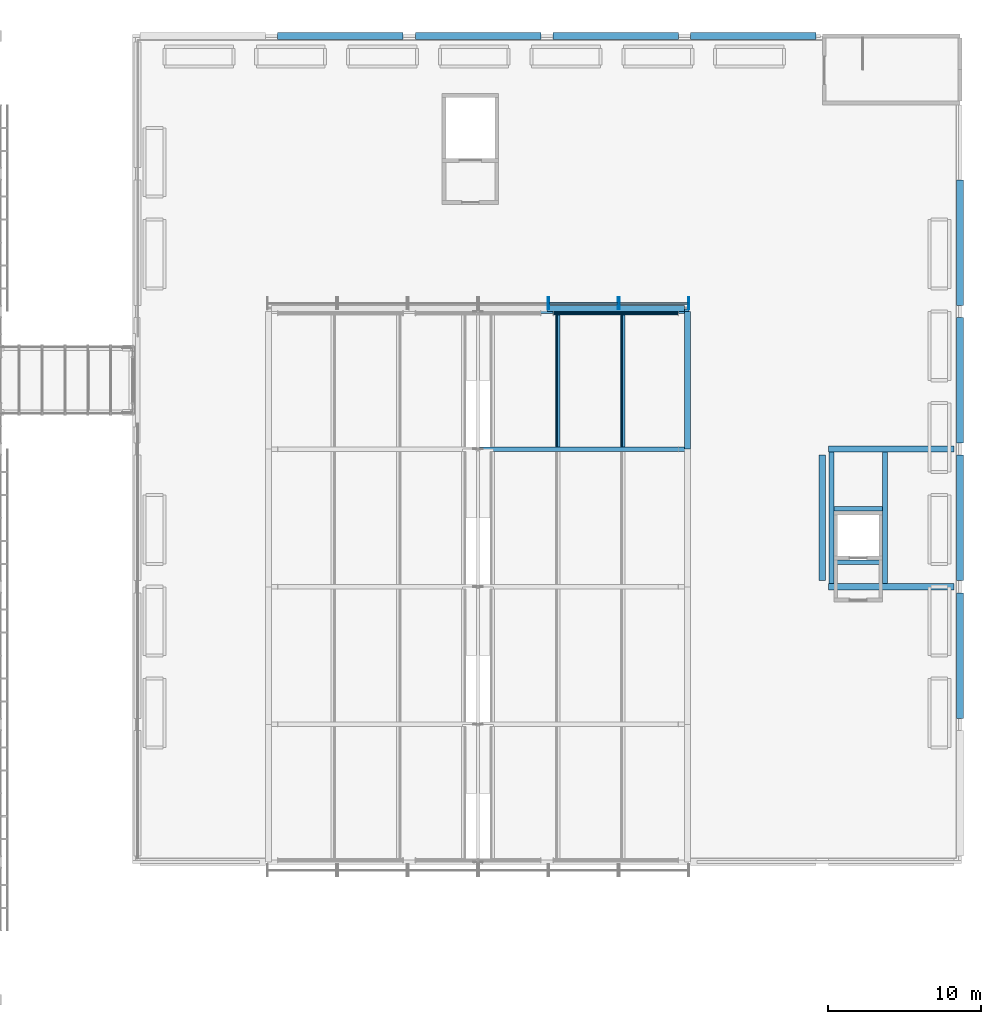
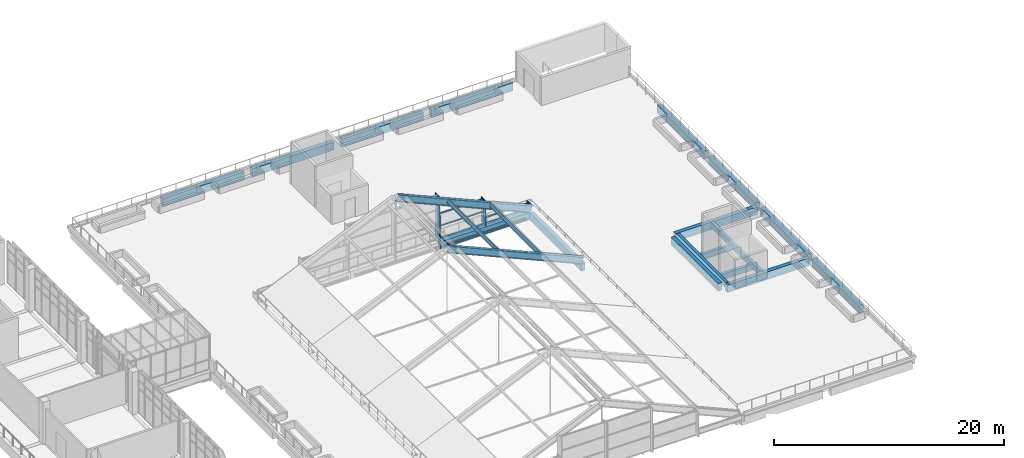
# One storey, part 46 of 106: 19 beams, 13 members, 3 elements without a shape of their own.
"""IFC4 building model written with IfcOpenShell, lengths in metres."""

from ifc_helpers import new_model, si_unit, direction, frame, origin, origin_2d, place, context, subcontext, project, spatial, rectangle, hollow_circle, i_section, extrude, material, layer, layer_set, material_profile, profile_set, type_object, element, aggregate, save


model = new_model("IFC4")

# Units and contexts
model_context = context("Model", 3, precision=1e-05, world=origin(), true_north=direction((0.0, 1.0)))
body_context = subcontext(model_context, "Body", "Model", "MODEL_VIEW")
ifc_project = project(units=[si_unit("LENGTHUNIT", "METRE"), si_unit("AREAUNIT", "SQUARE_METRE"), si_unit("VOLUMEUNIT", "CUBIC_METRE"), si_unit("PLANEANGLEUNIT", "RADIAN"), si_unit("MASSUNIT", "GRAM", prefix="KILO")], contexts=[model_context])

# Site, building, storey
site_placement = place(None, origin())
site = spatial("IfcSite", under=ifc_project, at=site_placement, CompositionType="ELEMENT")
building_placement = place(site_placement, origin())
building = spatial("IfcBuilding", under=site, at=building_placement, Name="Guidao Yard Department Store", CompositionType="ELEMENT")
storey_placement = place(building_placement, frame((0.0, 0.0, 10.5)))
storey = spatial("IfcBuildingStorey", under=building, at=storey_placement, Name="L02", CompositionType="ELEMENT", Elevation=10.5)

# Member
ifc_material_1 = material(Name="Steel Q355B", Category="steel")
ifc_material_profile_1 = material_profile(ifc_material_1, hollow_circle(Radius=0.109619140625, WallThickness=0.010009765625, at=origin_2d()), Name="CHS 219x10")
ifc_profile_set_1 = profile_set([ifc_material_profile_1], Name="Steel Q355B")
member_type_1 = type_object("IfcMemberType", Name="CHS 219x10", PredefinedType="BRACE", material=ifc_profile_set_1)
member_1_placement = place(storey_placement, frame((144.39990234375, 89.8798828125, -0.449951171875), z_axis=(1.0, 0.0, 0.0), x_axis=(0.0, 1.0, 0.0)))
element("IfcMember", 1, at=member_1_placement, inside=storey, type_object=member_type_1, Name="Roof tie rod F05-3", PredefinedType="BRACE", context=body_context, shape_type="SweptSolid", body=[
    extrude(hollow_circle(Radius=0.109619140625, WallThickness=0.010009765625, at=origin_2d()), origin(), (0.0, 0.0, 1.0), 8.2001953125),
])

# Beams
ifc_material_2 = material(Name="Concrete C40", Category="concrete")
ifc_material_profile_2 = material_profile(ifc_material_2, rectangle(XDim=0.39990234375, YDim=0.800048828125, at=origin_2d()), Name="Edge beam 400 x 800 C40")
ifc_profile_set_2 = profile_set([ifc_material_profile_2], Name="Concrete C40")
beam_type_1 = type_object("IfcBeamType", Name="Edge beam 400 x 800 C40", PredefinedType="BEAM", material=ifc_profile_set_2)
for number, where, z_axis, x_axis, name in (
    (2, (162.39990234375, 72.0, -0.39990234375), (1.0, 0.0, 0.0), (0.0, 1.0, 0.0), "Beam EB103"),
    (3, (162.39990234375, 81.0, -0.39990234375), (1.0, 0.0, 0.0), (0.0, 1.0, 0.0), "Beam EB104"),
    (4, (162.0, 72.39990234375, -0.39990234375), (0.0, 1.0, 0.0), (-1.0, 0.0, 0.0), "Beam EB105"),
):
    element("IfcBeam", number, at=place(storey_placement, frame(where, z_axis=z_axis, x_axis=x_axis)), inside=storey, type_object=beam_type_1, Name=name, PredefinedType="BEAM", context=body_context, shape_type="SweptSolid", body=[
        extrude(rectangle(XDim=0.39990234375, YDim=0.800048828125, at=origin_2d()), origin(), (0.0, 0.0, 1.0), 8.2001953125),
    ])
ifc_material_3 = material(Name="Concrete C40", Category="concrete")
ifc_material_profile_3 = material_profile(ifc_material_3, rectangle(XDim=0.449951171875, YDim=0.85009765625, at=origin_2d()), Name="Garden roof spandrel beam 450 x 850 C40")
ifc_profile_set_3 = profile_set([ifc_material_profile_3], Name="Concrete C40")
beam_type_2 = type_object("IfcBeamType", Name="Garden roof spandrel beam 450 x 850 C40", PredefinedType="SPANDREL", material=ifc_profile_set_3)
for number, where, z_axis, x_axis, name in (
    (5, (126.39990234375, 108.0, -0.425048828125), (1.0, 0.0, 0.0), (0.0, 1.0, 0.0), "Beam EB92"),
    (6, (135.39990234375, 108.0, -0.425048828125), (1.0, 0.0, 0.0), (0.0, 1.0, 0.0), "Beam EB93"),
    (7, (144.39990234375, 108.0, -0.425048828125), (1.0, 0.0, 0.0), (0.0, 1.0, 0.0), "Beam EB94"),
    (8, (153.39990234375, 108.0, -0.425048828125), (1.0, 0.0, 0.0), (0.0, 1.0, 0.0), "Beam EB95"),
    (9, (171.0, 63.39990234375, -0.425048828125), (0.0, 1.0, 0.0), (-1.0, 0.0, 0.0), "Beam EB97"),
    (10, (171.0, 72.39990234375, -0.425048828125), (0.0, 1.0, 0.0), (-1.0, 0.0, 0.0), "Beam EB98"),
    (11, (171.0, 81.39990234375, -0.425048828125), (0.0, 1.0, 0.0), (-1.0, 0.0, 0.0), "Beam EB99"),
    (12, (171.0, 90.39990234375, -0.425048828125), (0.0, 1.0, 0.0), (-1.0, 0.0, 0.0), "Beam EB100"),
):
    element("IfcBeam", number, at=place(storey_placement, frame(where, z_axis=z_axis, x_axis=x_axis)), inside=storey, type_object=beam_type_2, Name=name, PredefinedType="SPANDREL", context=body_context, shape_type="SweptSolid", body=[
        extrude(rectangle(XDim=0.449951171875, YDim=0.85009765625, at=origin_2d()), origin(), (0.0, 0.0, 1.0), 8.2001953125),
    ])

# Members
ifc_material_4 = material(Name="Steel Q355B", Category="steel")
ifc_material_profile_4 = material_profile(ifc_material_4, i_section(OverallWidth=0.175048828125, OverallDepth=0.35009765625, WebThickness=0.007080078125, FlangeThickness=0.010986328125, FilletRadius=0.012939453125, at=origin_2d()), Name="HN 350x175x7x11")
ifc_profile_set_4 = profile_set([ifc_material_profile_4], Name="Steel Q355B")
member_type_2 = type_object("IfcMemberType", Name="HN 350x175x7x11", PredefinedType="PURLIN", material=ifc_profile_set_4)
for number, where, z_axis, x_axis, name in (
    (13, (144.695068359375, 81.14990234375, 4.22900390625), (0.0, 1.0, 0.0), (-0.915526159115, 0.0, 0.402258439285), "Roof purlin F04-06"),
    (14, (148.960693359375, 81.14990234375, 2.354736328125), (0.0, 1.0, 0.0), (-0.915526159115, 0.0, 0.402258439285), "Roof purlin F04-07"),
):
    element("IfcMember", number, at=place(storey_placement, frame(where, z_axis=z_axis, x_axis=x_axis)), inside=storey, type_object=member_type_2, Name=name, PredefinedType="PURLIN", context=body_context, shape_type="SweptSolid", body=[
        extrude(i_section(OverallWidth=0.175048828125, OverallDepth=0.35009765625, WebThickness=0.007080078125, FlangeThickness=0.010986328125, FilletRadius=0.012939453125, at=origin_2d()), origin(), (0.0, 0.0, 1.0), 8.7001953125),
    ])

# Beams
ifc_material_5 = material(Name="Steel Q355B", Category="steel")
ifc_material_profile_5 = material_profile(ifc_material_5, i_section(OverallWidth=0.300048828125, OverallDepth=0.699951171875, WebThickness=0.012939453125, FlangeThickness=0.02392578125, FilletRadius=0.01806640625, at=origin_2d()), Name="HN 700x300x13x24")
ifc_profile_set_5 = profile_set([ifc_material_profile_5], Name="Steel Q355B")
beam_type_3 = type_object("IfcBeamType", Name="HN 700x300x13x24", PredefinedType="BEAM", material=ifc_profile_set_5)
for number, where, z_axis, x_axis, name in (
    (15, (139.640869140625, 81.0, 6.258544921875), (0.915522684048, 0.0, -0.402266348323), (0.0, 1.0, 0.0), "Roof rib F04-02"),
    (16, (139.640869140625, 90.0, 6.258544921875), (0.915522684048, 0.0, -0.402266348323), (0.0, 1.0, 0.0), "Roof rib F05-02"),
):
    element("IfcBeam", number, at=place(storey_placement, frame(where, z_axis=z_axis, x_axis=x_axis)), inside=storey, type_object=beam_type_3, Name=name, PredefinedType="BEAM", context=body_context, shape_type="SweptSolid", body=[
        extrude(i_section(OverallWidth=0.300048828125, OverallDepth=0.699951171875, WebThickness=0.012939453125, FlangeThickness=0.02392578125, FilletRadius=0.01806640625, at=origin_2d()), origin(), (0.0, 0.0, 1.0), 14.761962890625),
    ])

# Curtain wall, member
ifc_material_6 = material(Name="Aluminium and glass", Category="aluminium")
ifc_layer = layer(ifc_material_6, 0.159912109375)
ifc_layer_set = layer_set([ifc_layer], Name="Gable glazing CW7 1500 module")
curtain_wall_type = type_object("IfcCurtainWallType", Name="Gable glazing CW7 1500 module", PredefinedType="NOTDEFINED", material=ifc_layer_set)
curtain_wall_1_placement = place(storey_placement, origin())
curtain_wall_1 = element("IfcCurtainWall", 17, at=curtain_wall_1_placement, inside=storey, type_object=curtain_wall_type, Name="Gable glazing FN4", PredefinedType="NOTDEFINED")
ifc_material_7 = material(Name="Aluminium 6063-T5", Category="aluminium")
ifc_material_profile_6 = material_profile(ifc_material_7, rectangle(XDim=0.06005859375, YDim=0.780029296875, at=origin_2d()), Name="Mullion M3 60 x 780 aluminium pressure plate")
ifc_profile_set_6 = profile_set([ifc_material_profile_6], Name="Aluminium 6063-T5")
member_type_3 = type_object("IfcMemberType", Name="Mullion M3 60 x 780 aluminium pressure plate", PredefinedType="MULLION", material=ifc_profile_set_6)
member_2_placement = place(storey_placement, frame((144.06884765625, 90.5400390625, 0.0), z_axis=(0.0, 0.0, 1.0), x_axis=(1.0, 0.0, 0.0)))
member_2 = element("IfcMember", 18, at=member_2_placement, type_object=member_type_3, Name="CW-TFN4 mullion 2", PredefinedType="MULLION", context=body_context, shape_type="SweptSolid", body=[
    extrude(rectangle(XDim=0.06005859375, YDim=0.780029296875, at=origin_2d()), origin(), (0.0, 0.0, 1.0), 4.68212890625),
])
aggregate(curtain_wall_1, [member_2])

# Curtain wall, members
curtain_wall_2_placement = place(storey_placement, origin())
curtain_wall_2 = element("IfcCurtainWall", 19, at=curtain_wall_2_placement, inside=storey, type_object=curtain_wall_type, Name="Gable glazing FN5", PredefinedType="NOTDEFINED")
member_3_placement = place(storey_placement, frame((144.12890625, 90.5400390625, 0.0), z_axis=(0.0, 0.0, 1.0), x_axis=(1.0, 0.0, 0.0)))
member_3 = element("IfcMember", 20, at=member_3_placement, type_object=member_type_3, Name="CW-TFN5 mullion 1", PredefinedType="MULLION", context=body_context, shape_type="SweptSolid", body=[
    extrude(rectangle(XDim=0.06005859375, YDim=0.780029296875, at=origin_2d()), origin(), (0.0, 0.0, 1.0), 2.661376953125),
])
member_4_placement = place(storey_placement, frame((148.667724609375, 90.5400390625, 0.0), z_axis=(0.0, 0.0, 1.0), x_axis=(1.0, 0.0, 0.0)))
member_4 = element("IfcMember", 21, at=member_4_placement, type_object=member_type_3, Name="CW-TFN5 mullion 2", PredefinedType="MULLION", context=body_context, shape_type="SweptSolid", body=[
    extrude(rectangle(XDim=0.06005859375, YDim=0.780029296875, at=origin_2d()), origin(), (0.0, 0.0, 1.0), 2.661376953125),
])

curtain_wall_3_placement = place(storey_placement, origin())
curtain_wall_3 = element("IfcCurtainWall", 22, at=curtain_wall_3_placement, inside=storey, type_object=curtain_wall_type, Name="Gable glazing FN6", PredefinedType="NOTDEFINED")
member_5_placement = place(storey_placement, frame((148.727783203125, 90.5400390625, 0.0), z_axis=(0.0, 0.0, 1.0), x_axis=(1.0, 0.0, 0.0)))
member_5 = element("IfcMember", 23, at=member_5_placement, type_object=member_type_3, Name="CW-TFN6 mullion 1", PredefinedType="MULLION", context=body_context, shape_type="SweptSolid", body=[
    extrude(rectangle(XDim=0.06005859375, YDim=0.780029296875, at=origin_2d()), origin(), (0.0, 0.0, 1.0), 0.640869140625),
])
member_6_placement = place(storey_placement, frame((153.2666015625, 90.5400390625, 0.0), z_axis=(0.0, 0.0, 1.0), x_axis=(1.0, 0.0, 0.0)))
member_6 = element("IfcMember", 24, at=member_6_placement, type_object=member_type_3, Name="CW-TFN6 mullion 2", PredefinedType="MULLION", context=body_context, shape_type="SweptSolid", body=[
    extrude(rectangle(XDim=0.06005859375, YDim=0.780029296875, at=origin_2d()), origin(), (0.0, 0.0, 1.0), 0.640869140625),
])

# Beams
ifc_material_8 = material(Name="Concrete C40", Category="concrete")
ifc_material_profile_7 = material_profile(ifc_material_8, rectangle(XDim=0.300048828125, YDim=0.60009765625, at=origin_2d()), Name="Opening beam 300 x 600 C40")
ifc_profile_set_7 = profile_set([ifc_material_profile_7], Name="Concrete C40")
beam_type_4 = type_object("IfcBeamType", Name="Opening beam 300 x 600 C40", PredefinedType="BEAM", material=ifc_profile_set_7)
for number, where, z_axis, x_axis, name in (
    (25, (162.60009765625, 72.199951171875, -0.300048828125), (0.0, 1.0, 0.0), (-1.0, 0.0, 0.0), "Beam OB37"),
    (26, (166.10009765625, 72.199951171875, -0.300048828125), (0.0, 1.0, 0.0), (-1.0, 0.0, 0.0), "Beam OB38"),
):
    element("IfcBeam", number, at=place(storey_placement, frame(where, z_axis=z_axis, x_axis=x_axis)), inside=storey, type_object=beam_type_4, Name=name, PredefinedType="BEAM", context=body_context, shape_type="SweptSolid", body=[
        extrude(rectangle(XDim=0.300048828125, YDim=0.60009765625, at=origin_2d()), origin(), (0.0, 0.0, 1.0), 8.60009765625),
    ])
for number, where, z_axis, x_axis, name in (
    (27, (162.75, 73.60009765625, -0.300048828125), (1.0, 0.0, 0.0), (0.0, 1.0, 0.0), "Beam OB39"),
    (28, (162.75, 77.10009765625, -0.300048828125), (1.0, 0.0, 0.0), (0.0, 1.0, 0.0), "Beam OB40"),
):
    element("IfcBeam", number, at=place(storey_placement, frame(where, z_axis=z_axis, x_axis=x_axis)), inside=storey, type_object=beam_type_4, Name=name, PredefinedType="BEAM", context=body_context, shape_type="SweptSolid", body=[
        extrude(rectangle(XDim=0.300048828125, YDim=0.60009765625, at=origin_2d()), origin(), (0.0, 0.0, 1.0), 3.199951171875),
    ])

# Member
ifc_material_9 = material(Name="Aluminium 6063-T5", Category="aluminium")
ifc_material_profile_8 = material_profile(ifc_material_9, rectangle(XDim=0.1201171875, YDim=0.06005859375, at=origin_2d()), Name="Transom T1 60 x 120 aluminium pressure plate")
ifc_profile_set_8 = profile_set([ifc_material_profile_8], Name="Aluminium 6063-T5")
member_type_4 = type_object("IfcMemberType", Name="Transom T1 60 x 120 aluminium pressure plate", PredefinedType="USERDEFINED", material=ifc_profile_set_8)
member_7_placement = place(storey_placement, frame((144.158935546875, 90.5400390625, 0.030029296875), z_axis=(1.0, 0.0, 0.0), x_axis=(0.0, 1.0, 0.0)))
member_7 = element("IfcMember", 29, at=member_7_placement, type_object=member_type_4, Name="CW-TFN5 transom 1.1", ObjectType="TRANSOM", PredefinedType="USERDEFINED", context=body_context, shape_type="SweptSolid", body=[
    extrude(rectangle(XDim=0.1201171875, YDim=0.06005859375, at=origin_2d()), origin(), (0.0, 0.0, 1.0), 4.478759765625),
])

member_8_placement = place(storey_placement, frame((144.158935546875, 90.5400390625, 1.330810546875), z_axis=(1.0, 0.0, 0.0), x_axis=(0.0, 1.0, 0.0)))
member_8 = element("IfcMember", 30, at=member_8_placement, type_object=member_type_4, Name="CW-TFN5 transom 1.2", ObjectType="TRANSOM", PredefinedType="USERDEFINED", context=body_context, shape_type="SweptSolid", body=[
    extrude(rectangle(XDim=0.1201171875, YDim=0.06005859375, at=origin_2d()), origin(), (0.0, 0.0, 1.0), 4.478759765625),
])

member_9_placement = place(storey_placement, frame((144.158935546875, 90.5400390625, 2.631591796875), z_axis=(1.0, 0.0, 0.0), x_axis=(0.0, 1.0, 0.0)))
member_9 = element("IfcMember", 31, at=member_9_placement, type_object=member_type_4, Name="CW-TFN5 transom 1.3", ObjectType="TRANSOM", PredefinedType="USERDEFINED", context=body_context, shape_type="SweptSolid", body=[
    extrude(rectangle(XDim=0.1201171875, YDim=0.06005859375, at=origin_2d()), origin(), (0.0, 0.0, 1.0), 4.478759765625),
])

aggregate(curtain_wall_2, [member_3, member_4, member_7, member_8, member_9])

member_10_placement = place(storey_placement, frame((148.7578125, 90.5400390625, 0.030029296875), z_axis=(1.0, 0.0, 0.0), x_axis=(0.0, 1.0, 0.0)))
member_10 = element("IfcMember", 32, at=member_10_placement, type_object=member_type_4, Name="CW-TFN6 transom 1.1", ObjectType="TRANSOM", PredefinedType="USERDEFINED", context=body_context, shape_type="SweptSolid", body=[
    extrude(rectangle(XDim=0.1201171875, YDim=0.06005859375, at=origin_2d()), origin(), (0.0, 0.0, 1.0), 4.478759765625),
])

member_11_placement = place(storey_placement, frame((148.7578125, 90.5400390625, 0.61083984375), z_axis=(1.0, 0.0, 0.0), x_axis=(0.0, 1.0, 0.0)))
member_11 = element("IfcMember", 33, at=member_11_placement, type_object=member_type_4, Name="CW-TFN6 transom 1.2", ObjectType="TRANSOM", PredefinedType="USERDEFINED", context=body_context, shape_type="SweptSolid", body=[
    extrude(rectangle(XDim=0.1201171875, YDim=0.06005859375, at=origin_2d()), origin(), (0.0, 0.0, 1.0), 4.478759765625),
])

aggregate(curtain_wall_3, [member_5, member_6, member_10, member_11])

# Beams
ifc_material_10 = material(Name="Concrete C40", Category="concrete")
ifc_material_profile_9 = material_profile(ifc_material_10, rectangle(XDim=0.39990234375, YDim=0.800048828125, at=origin_2d()), Name="Vault bearing beam 400 x 800 C40")
ifc_profile_set_9 = profile_set([ifc_material_profile_9], Name="Concrete C40")
beam_type_5 = type_object("IfcBeamType", Name="Vault bearing beam 400 x 800 C40", PredefinedType="BEAM", material=ifc_profile_set_9)
for number, where, z_axis, x_axis, name in (
    (34, (153.199951171875, 81.0, -0.39990234375), (0.0, 1.0, 0.0), (-1.0, 0.0, 0.0), "Beam VB04"),
    (35, (144.0, 90.199951171875, -0.39990234375), (1.0, 0.0, 0.0), (0.0, 1.0, 0.0), "Beam VB07"),
):
    element("IfcBeam", number, at=place(storey_placement, frame(where, z_axis=z_axis, x_axis=x_axis)), inside=storey, type_object=beam_type_5, Name=name, PredefinedType="BEAM", context=body_context, shape_type="SweptSolid", body=[
        extrude(rectangle(XDim=0.39990234375, YDim=0.800048828125, at=origin_2d()), origin(), (0.0, 0.0, 1.0), 9.0),
    ])

save(model, "model.ifc")
